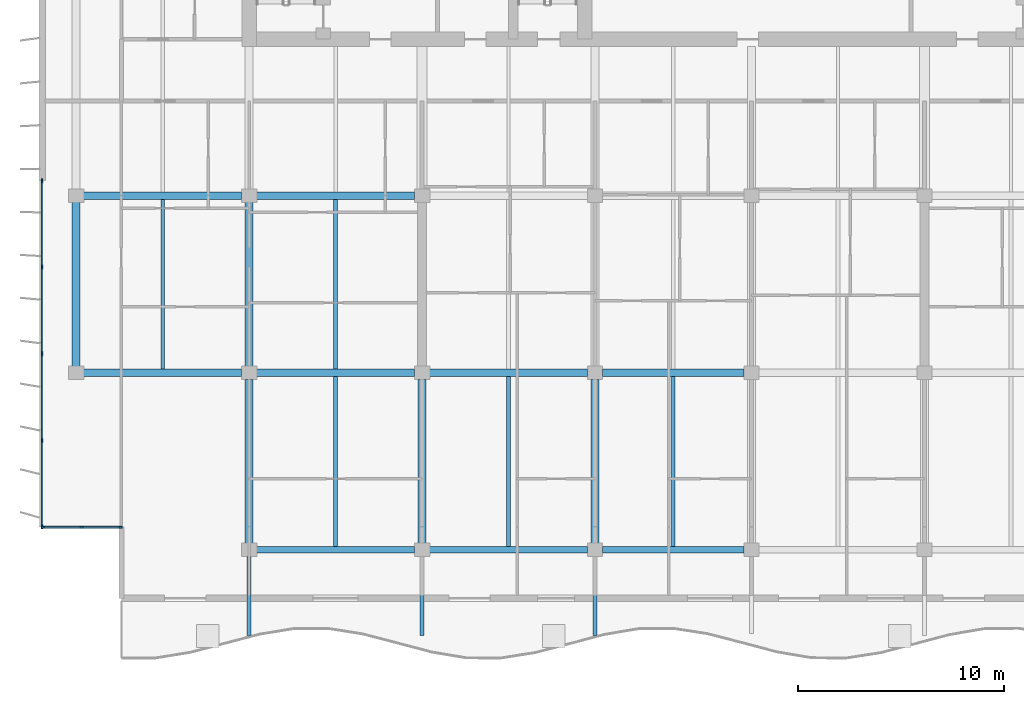
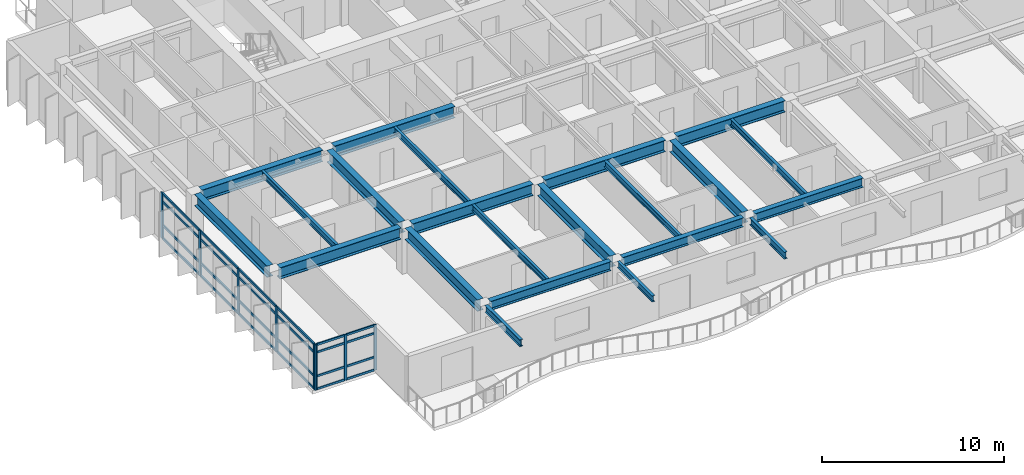
# One storey, part 2 of 16: 32 members, 22 beams, 2 elements without a shape of their own.
"""IFC4 building model written with IfcOpenShell, lengths in metres."""

from ifc_helpers import new_model, si_unit, direction, frame, origin, origin_2d, place, context, subcontext, project, spatial, rectangle, i_section, extrude, material, layer, layer_set, material_profile, profile_set, type_object, element, aggregate, save


model = new_model("IFC4")

# Units and contexts
model_context = context("Model", 3, precision=1e-05, world=origin(), true_north=direction((0.0, 1.0)))
body_context = subcontext(model_context, "Body", "Model", "MODEL_VIEW")
ifc_project = project(units=[si_unit("LENGTHUNIT", "METRE"), si_unit("AREAUNIT", "SQUARE_METRE"), si_unit("VOLUMEUNIT", "CUBIC_METRE"), si_unit("PLANEANGLEUNIT", "RADIAN"), si_unit("MASSUNIT", "GRAM", prefix="KILO")], contexts=[model_context])

# Site, building, storey
site_placement = place(None, origin())
site = spatial("IfcSite", under=ifc_project, at=site_placement, CompositionType="ELEMENT")
building_placement = place(site_placement, origin())
building = spatial("IfcBuilding", under=site, at=building_placement, Name="Caelmar Bay Residences", CompositionType="ELEMENT")
storey_placement = place(building_placement, frame((0.0, 0.0, 239.699951171875)))
storey = spatial("IfcBuildingStorey", under=building, at=storey_placement, Name="L67", CompositionType="ELEMENT", Elevation=239.699951171875)

# Beams
ifc_material_1 = material(Name="Steel ASTM A992 Grade 50", Category="steel")
ifc_material_profile_1 = material_profile(ifc_material_1, i_section(OverallWidth=0.177978515625, OverallDepth=0.406005859375, WebThickness=0.0078125, FlangeThickness=0.0126953125, FilletRadius=0.0087890625, at=origin_2d()), Name="W16X40")
ifc_profile_set_1 = profile_set([ifc_material_profile_1], Name="Steel ASTM A992 Grade 50")
beam_type_1 = type_object("IfcBeamType", Name="BM-BAL-W16X40", PredefinedType="JOIST", material=ifc_profile_set_1)
for number, where, z_axis, x_axis, name in (
    (1, (22.5, 12.362548828125, 2.84716796875), (0.0, 1.0, 0.0), (-1.0, 0.0, 0.0), "L67 Composite Floor Joist 1"),
    (2, (30.89990234375, 12.362548828125, 2.84716796875), (0.0, 1.0, 0.0), (-1.0, 0.0, 0.0), "L67 Composite Floor Joist 2"),
    (3, (38.89990234375, 12.362548828125, 2.84716796875), (0.0, 1.0, 0.0), (-1.0, 0.0, 0.0), "L67 Composite Floor Joist 3"),
):
    element("IfcBeam", number, at=place(storey_placement, frame(where, z_axis=z_axis, x_axis=x_axis)), inside=storey, type_object=beam_type_1, Name=name, PredefinedType="JOIST", context=body_context, shape_type="SweptSolid", body=[
        extrude(i_section(OverallWidth=0.177978515625, OverallDepth=0.406005859375, WebThickness=0.0078125, FlangeThickness=0.0126953125, FilletRadius=0.0087890625, at=origin_2d()), origin(), (0.0, 0.0, 1.0), 8.2470703125),
    ])
for number, where, z_axis, x_axis, name in (
    (4, (14.10009765625, 20.990478515625, 2.84716796875), (0.0, 1.0, 0.0), (-1.0, 0.0, 0.0), "L67 Composite Floor Joist 6"),
    (5, (22.5, 20.990478515625, 2.84716796875), (0.0, 1.0, 0.0), (-1.0, 0.0, 0.0), "L67 Composite Floor Joist 7"),
):
    element("IfcBeam", number, at=place(storey_placement, frame(where, z_axis=z_axis, x_axis=x_axis)), inside=storey, type_object=beam_type_1, Name=name, PredefinedType="JOIST", context=body_context, shape_type="SweptSolid", body=[
        extrude(i_section(OverallWidth=0.177978515625, OverallDepth=0.406005859375, WebThickness=0.0078125, FlangeThickness=0.0126953125, FilletRadius=0.0087890625, at=origin_2d()), origin(), (0.0, 0.0, 1.0), 8.218994140625),
    ])
beam_1_placement = place(storey_placement, frame((26.699951171875, 11.885009765625, 2.84716796875), z_axis=(0.0, -1.0, 0.0), x_axis=(1.0, 0.0, 0.0)))
element("IfcBeam", 6, at=beam_1_placement, inside=storey, type_object=beam_type_1, Name="L68 South Balcony Cantilever Bracket 2", PredefinedType="JOIST", context=body_context, shape_type="SweptSolid", body=[
    extrude(i_section(OverallWidth=0.177978515625, OverallDepth=0.406005859375, WebThickness=0.0078125, FlangeThickness=0.0126953125, FilletRadius=0.0087890625, at=origin_2d()), origin(), (0.0, 0.0, 1.0), 3.85009765625),
])
ifc_material_profile_2 = material_profile(ifc_material_1, i_section(OverallWidth=0.193115234375, OverallDepth=0.467041015625, WebThickness=0.011474609375, FlangeThickness=0.01904296875, FilletRadius=0.01025390625, at=origin_2d()), Name="W18X65")
ifc_profile_set_2 = profile_set([ifc_material_profile_2], Name="Steel ASTM A992 Grade 50")
beam_type_2 = type_object("IfcBeamType", Name="BM-BAL-W18X65", PredefinedType="BEAM", material=ifc_profile_set_2)
for number, where, z_axis, x_axis, name in (
    (7, (18.300048828125, 11.885009765625, 2.816650390625), (0.0, -1.0, 0.0), (1.0, 0.0, 0.0), "L68 South Balcony Cantilever Bracket 1"),
    (8, (35.10009765625, 11.885009765625, 2.816650390625), (0.0, -1.0, 0.0), (1.0, 0.0, 0.0), "L68 South Balcony Cantilever Bracket 3"),
):
    element("IfcBeam", number, at=place(storey_placement, frame(where, z_axis=z_axis, x_axis=x_axis)), inside=storey, type_object=beam_type_2, Name=name, PredefinedType="BEAM", context=body_context, shape_type="SweptSolid", body=[
        extrude(i_section(OverallWidth=0.193115234375, OverallDepth=0.467041015625, WebThickness=0.011474609375, FlangeThickness=0.01904296875, FilletRadius=0.01025390625, at=origin_2d()), origin(), (0.0, 0.0, 1.0), 3.85009765625),
    ])
ifc_material_profile_3 = material_profile(ifc_material_1, i_section(OverallWidth=0.381103515625, OverallDepth=0.77197265625, WebThickness=0.0166015625, FlangeThickness=0.027099609375, FilletRadius=0.0166015625, at=origin_2d()), Name="W30X173")
ifc_profile_set_3 = profile_set([ifc_material_profile_3], Name="Steel ASTM A992 Grade 50")
beam_type_3 = type_object("IfcBeamType", Name="BM-GRD-W30X173", PredefinedType="BEAM", material=ifc_profile_set_3)
beam_2_placement = place(storey_placement, frame((10.264892578125, 20.800048828125, 2.6640625), z_axis=(1.0, 0.0, 0.0), x_axis=(0.0, 1.0, 0.0)))
element("IfcBeam", 9, at=beam_2_placement, inside=storey, type_object=beam_type_3, Name="L67 East-West Girder Y=20.80 (9.9-18.3)", PredefinedType="BEAM", context=body_context, shape_type="SweptSolid", body=[
    extrude(i_section(OverallWidth=0.381103515625, OverallDepth=0.77197265625, WebThickness=0.0166015625, FlangeThickness=0.027099609375, FilletRadius=0.0166015625, at=origin_2d()), origin(), (0.0, 0.0, 1.0), 7.670166015625),
])
beam_3_placement = place(storey_placement, frame((18.6650390625, 20.800048828125, 2.6640625), z_axis=(1.0, 0.0, 0.0), x_axis=(0.0, 1.0, 0.0)))
element("IfcBeam", 10, at=beam_3_placement, inside=storey, type_object=beam_type_3, Name="L67 East-West Girder Y=20.80 (18.3-26.7)", PredefinedType="BEAM", context=body_context, shape_type="SweptSolid", body=[
    extrude(i_section(OverallWidth=0.381103515625, OverallDepth=0.77197265625, WebThickness=0.0166015625, FlangeThickness=0.027099609375, FilletRadius=0.0166015625, at=origin_2d()), origin(), (0.0, 0.0, 1.0), 7.669921875),
])
beam_4_placement = place(storey_placement, frame((27.06494140625, 20.800048828125, 2.6640625), z_axis=(1.0, 0.0, 0.0), x_axis=(0.0, 1.0, 0.0)))
element("IfcBeam", 11, at=beam_4_placement, inside=storey, type_object=beam_type_3, Name="L67 East-West Girder Y=20.80 (26.7-35.1)", PredefinedType="BEAM", context=body_context, shape_type="SweptSolid", body=[
    extrude(i_section(OverallWidth=0.381103515625, OverallDepth=0.77197265625, WebThickness=0.0166015625, FlangeThickness=0.027099609375, FilletRadius=0.0166015625, at=origin_2d()), origin(), (0.0, 0.0, 1.0), 7.670166015625),
])
beam_5_placement = place(storey_placement, frame((35.465087890625, 20.800048828125, 2.6640625), z_axis=(1.0, 0.0, 0.0), x_axis=(0.0, 1.0, 0.0)))
element("IfcBeam", 12, at=beam_5_placement, inside=storey, type_object=beam_type_3, Name="L67 East-West Girder Y=20.80 (35.1-42.7)", PredefinedType="BEAM", context=body_context, shape_type="SweptSolid", body=[
    extrude(i_section(OverallWidth=0.381103515625, OverallDepth=0.77197265625, WebThickness=0.0166015625, FlangeThickness=0.027099609375, FilletRadius=0.0166015625, at=origin_2d()), origin(), (0.0, 0.0, 1.0), 6.869873046875),
])
beam_6_placement = place(storey_placement, frame((10.264892578125, 29.39990234375, 2.6640625), z_axis=(1.0, 0.0, 0.0), x_axis=(0.0, 1.0, 0.0)))
element("IfcBeam", 13, at=beam_6_placement, inside=storey, type_object=beam_type_3, Name="L67 East-West Girder Y=29.40 (9.9-18.3)", PredefinedType="BEAM", context=body_context, shape_type="SweptSolid", body=[
    extrude(i_section(OverallWidth=0.381103515625, OverallDepth=0.77197265625, WebThickness=0.0166015625, FlangeThickness=0.027099609375, FilletRadius=0.0166015625, at=origin_2d()), origin(), (0.0, 0.0, 1.0), 7.670166015625),
])
beam_7_placement = place(storey_placement, frame((18.6650390625, 29.39990234375, 2.6640625), z_axis=(1.0, 0.0, 0.0), x_axis=(0.0, 1.0, 0.0)))
element("IfcBeam", 14, at=beam_7_placement, inside=storey, type_object=beam_type_3, Name="L67 East-West Girder Y=29.40 (18.3-26.7)", PredefinedType="BEAM", context=body_context, shape_type="SweptSolid", body=[
    extrude(i_section(OverallWidth=0.381103515625, OverallDepth=0.77197265625, WebThickness=0.0166015625, FlangeThickness=0.027099609375, FilletRadius=0.0166015625, at=origin_2d()), origin(), (0.0, 0.0, 1.0), 7.669921875),
])
beam_8_placement = place(storey_placement, frame((9.89990234375, 21.114990234375, 2.6640625), z_axis=(0.0, 1.0, 0.0), x_axis=(-1.0, 0.0, 0.0)))
element("IfcBeam", 15, at=beam_8_placement, inside=storey, type_object=beam_type_3, Name="L67 North-South Girder X=9.90 (20.8-29.4)", PredefinedType="BEAM", context=body_context, shape_type="SweptSolid", body=[
    extrude(i_section(OverallWidth=0.381103515625, OverallDepth=0.77197265625, WebThickness=0.0166015625, FlangeThickness=0.027099609375, FilletRadius=0.0166015625, at=origin_2d()), origin(), (0.0, 0.0, 1.0), 7.969970703125),
])
beam_9_placement = place(storey_placement, frame((18.300048828125, 12.514892578125, 2.6640625), z_axis=(0.0, 1.0, 0.0), x_axis=(-1.0, 0.0, 0.0)))
element("IfcBeam", 16, at=beam_9_placement, inside=storey, type_object=beam_type_3, Name="L67 North-South Girder X=18.30 (12.2-20.8)", PredefinedType="BEAM", context=body_context, shape_type="SweptSolid", body=[
    extrude(i_section(OverallWidth=0.381103515625, OverallDepth=0.77197265625, WebThickness=0.0166015625, FlangeThickness=0.027099609375, FilletRadius=0.0166015625, at=origin_2d()), origin(), (0.0, 0.0, 1.0), 7.97021484375),
])
beam_10_placement = place(storey_placement, frame((18.300048828125, 21.114990234375, 2.6640625), z_axis=(0.0, 1.0, 0.0), x_axis=(-1.0, 0.0, 0.0)))
element("IfcBeam", 17, at=beam_10_placement, inside=storey, type_object=beam_type_3, Name="L67 North-South Girder X=18.30 (20.8-29.4)", PredefinedType="BEAM", context=body_context, shape_type="SweptSolid", body=[
    extrude(i_section(OverallWidth=0.381103515625, OverallDepth=0.77197265625, WebThickness=0.0166015625, FlangeThickness=0.027099609375, FilletRadius=0.0166015625, at=origin_2d()), origin(), (0.0, 0.0, 1.0), 7.969970703125),
])
for number, where, z_axis, x_axis, name in (
    (18, (26.699951171875, 12.514892578125, 2.6640625), (0.0, 1.0, 0.0), (-1.0, 0.0, 0.0), "L67 North-South Girder X=26.70 (12.2-20.8)"),
    (19, (35.10009765625, 12.514892578125, 2.6640625), (0.0, 1.0, 0.0), (-1.0, 0.0, 0.0), "L67 North-South Girder X=35.10 (12.2-20.8)"),
):
    element("IfcBeam", number, at=place(storey_placement, frame(where, z_axis=z_axis, x_axis=x_axis)), inside=storey, type_object=beam_type_3, Name=name, PredefinedType="BEAM", context=body_context, shape_type="SweptSolid", body=[
        extrude(i_section(OverallWidth=0.381103515625, OverallDepth=0.77197265625, WebThickness=0.0166015625, FlangeThickness=0.027099609375, FilletRadius=0.0166015625, at=origin_2d()), origin(), (0.0, 0.0, 1.0), 7.97021484375),
    ])
ifc_material_profile_4 = material_profile(ifc_material_1, i_section(OverallWidth=0.324951171875, OverallDepth=0.616943359375, WebThickness=0.013916015625, FlangeThickness=0.021484375, FilletRadius=0.0126953125, at=origin_2d()), Name="W24X117")
ifc_profile_set_4 = profile_set([ifc_material_profile_4], Name="Steel ASTM A992 Grade 50")
beam_type_4 = type_object("IfcBeamType", Name="BM-SPN-W24X117", PredefinedType="SPANDREL", material=ifc_profile_set_4)
beam_11_placement = place(storey_placement, frame((18.6650390625, 12.199951171875, 2.741455078125), z_axis=(1.0, 0.0, 0.0), x_axis=(0.0, 1.0, 0.0)))
element("IfcBeam", 20, at=beam_11_placement, inside=storey, type_object=beam_type_4, Name="L67 East-West Girder Y=12.20 (18.3-26.7)", PredefinedType="SPANDREL", context=body_context, shape_type="SweptSolid", body=[
    extrude(i_section(OverallWidth=0.324951171875, OverallDepth=0.616943359375, WebThickness=0.013916015625, FlangeThickness=0.021484375, FilletRadius=0.0126953125, at=origin_2d()), origin(), (0.0, 0.0, 1.0), 7.669921875),
])
beam_12_placement = place(storey_placement, frame((27.06494140625, 12.199951171875, 2.741455078125), z_axis=(1.0, 0.0, 0.0), x_axis=(0.0, 1.0, 0.0)))
element("IfcBeam", 21, at=beam_12_placement, inside=storey, type_object=beam_type_4, Name="L67 East-West Girder Y=12.20 (26.7-35.1)", PredefinedType="SPANDREL", context=body_context, shape_type="SweptSolid", body=[
    extrude(i_section(OverallWidth=0.324951171875, OverallDepth=0.616943359375, WebThickness=0.013916015625, FlangeThickness=0.021484375, FilletRadius=0.0126953125, at=origin_2d()), origin(), (0.0, 0.0, 1.0), 7.670166015625),
])
beam_13_placement = place(storey_placement, frame((35.465087890625, 12.199951171875, 2.741455078125), z_axis=(1.0, 0.0, 0.0), x_axis=(0.0, 1.0, 0.0)))
element("IfcBeam", 22, at=beam_13_placement, inside=storey, type_object=beam_type_4, Name="L67 East-West Girder Y=12.20 (35.1-42.7)", PredefinedType="SPANDREL", context=body_context, shape_type="SweptSolid", body=[
    extrude(i_section(OverallWidth=0.324951171875, OverallDepth=0.616943359375, WebThickness=0.013916015625, FlangeThickness=0.021484375, FilletRadius=0.0126953125, at=origin_2d()), origin(), (0.0, 0.0, 1.0), 6.869873046875),
])

# Curtain wall, members
ifc_material_2 = material(Name="Anodised bronze aluminium 6063-T6 and laminated glass", Category="aluminium")
ifc_layer_1 = layer(ifc_material_2, 0.179931640625)
ifc_layer_set_1 = layer_set([ifc_layer_1], Name="Anodised bronze aluminium 6063-T6 and laminated glass")
curtain_wall_type_1 = type_object("IfcCurtainWallType", Name="CW6-NTC", PredefinedType="NOTDEFINED", material=ifc_layer_set_1)
curtain_wall_1_placement = place(storey_placement, origin())
curtain_wall_1 = element("IfcCurtainWall", 23, at=curtain_wall_1_placement, inside=storey, type_object=curtain_wall_type_1, Name="CW6 curtain wall L67", PredefinedType="NOTDEFINED")
ifc_material_3 = material(Name="Anodised bronze aluminium 6063-T6", Category="aluminium")
ifc_material_profile_5 = material_profile(ifc_material_3, rectangle(XDim=0.080078125, YDim=0.179931640625, at=origin_2d()), Name="CWM-80X180")
ifc_profile_set_5 = profile_set([ifc_material_profile_5], Name="Anodised bronze aluminium 6063-T6")
member_type_1 = type_object("IfcMemberType", Name="CWM-180", PredefinedType="MULLION", material=ifc_profile_set_5)
member_1_placement = place(storey_placement, frame((8.2900390625, 13.300048828125, 0.0), z_axis=(0.0, 0.0, 1.0), x_axis=(0.0, 1.0, 0.0)))
member_1 = element("IfcMember", 24, at=member_1_placement, type_object=member_type_1, Name="CW6 mullion 1", PredefinedType="MULLION", context=body_context, shape_type="SweptSolid", body=[
    extrude(rectangle(XDim=0.080078125, YDim=0.179931640625, at=origin_2d()), origin(), (0.0, 0.0, 1.0), 3.050048828125),
])
member_2_placement = place(storey_placement, frame((10.175048828125, 13.300048828125, 0.0), z_axis=(0.0, 0.0, 1.0), x_axis=(0.0, 1.0, 0.0)))
member_2 = element("IfcMember", 25, at=member_2_placement, type_object=member_type_1, Name="CW6 mullion 2", PredefinedType="MULLION", context=body_context, shape_type="SweptSolid", body=[
    extrude(rectangle(XDim=0.080078125, YDim=0.179931640625, at=origin_2d()), origin(), (0.0, 0.0, 1.0), 3.050048828125),
])
member_3_placement = place(storey_placement, frame((12.06005859375, 13.300048828125, 0.0), z_axis=(0.0, 0.0, 1.0), x_axis=(0.0, 1.0, 0.0)))
member_3 = element("IfcMember", 26, at=member_3_placement, type_object=member_type_1, Name="CW6 mullion 3", PredefinedType="MULLION", context=body_context, shape_type="SweptSolid", body=[
    extrude(rectangle(XDim=0.080078125, YDim=0.179931640625, at=origin_2d()), origin(), (0.0, 0.0, 1.0), 3.050048828125),
])

ifc_layer_2 = layer(ifc_material_2, 0.179931640625)
ifc_layer_set_2 = layer_set([ifc_layer_2], Name="Anodised bronze aluminium 6063-T6 and laminated glass")
curtain_wall_type_2 = type_object("IfcCurtainWallType", Name="CW5-Z4", PredefinedType="NOTDEFINED", material=ifc_layer_set_2)
curtain_wall_2_placement = place(storey_placement, origin())
curtain_wall_2 = element("IfcCurtainWall", 27, at=curtain_wall_2_placement, inside=storey, type_object=curtain_wall_type_2, Name="CW5 curtain wall L67", PredefinedType="NOTDEFINED")
ifc_material_profile_6 = material_profile(ifc_material_3, rectangle(XDim=0.080078125, YDim=0.219970703125, at=origin_2d()), Name="CWM-80X220")
ifc_profile_set_6 = profile_set([ifc_material_profile_6], Name="Anodised bronze aluminium 6063-T6")
member_type_2 = type_object("IfcMemberType", Name="CWM-220", PredefinedType="MULLION", material=ifc_profile_set_6)
member_4_placement = place(storey_placement, frame((8.25, 13.340087890625, 0.0), z_axis=(0.0, 0.0, 1.0), x_axis=(-1.0, 0.0, 0.0)))
member_4 = element("IfcMember", 28, at=member_4_placement, type_object=member_type_2, Name="CW5 mullion 1", PredefinedType="MULLION", context=body_context, shape_type="SweptSolid", body=[
    extrude(rectangle(XDim=0.080078125, YDim=0.219970703125, at=origin_2d()), origin(), (0.0, 0.0, 1.0), 3.050048828125),
])
member_5_placement = place(storey_placement, frame((8.25, 17.512451171875, 0.0), z_axis=(0.0, 0.0, 1.0), x_axis=(-1.0, 0.0, 0.0)))
member_5 = element("IfcMember", 29, at=member_5_placement, type_object=member_type_2, Name="CW5 mullion 2", PredefinedType="MULLION", context=body_context, shape_type="SweptSolid", body=[
    extrude(rectangle(XDim=0.080078125, YDim=0.219970703125, at=origin_2d()), origin(), (0.0, 0.0, 1.0), 3.050048828125),
])
member_6_placement = place(storey_placement, frame((8.25, 21.72509765625, 0.0), z_axis=(0.0, 0.0, 1.0), x_axis=(-1.0, 0.0, 0.0)))
member_6 = element("IfcMember", 30, at=member_6_placement, type_object=member_type_2, Name="CW5 mullion 3", PredefinedType="MULLION", context=body_context, shape_type="SweptSolid", body=[
    extrude(rectangle(XDim=0.080078125, YDim=0.219970703125, at=origin_2d()), origin(), (0.0, 0.0, 1.0), 3.050048828125),
])
member_7_placement = place(storey_placement, frame((8.25, 25.9375, 0.0), z_axis=(0.0, 0.0, 1.0), x_axis=(-1.0, 0.0, 0.0)))
member_7 = element("IfcMember", 31, at=member_7_placement, type_object=member_type_2, Name="CW5 mullion 4", PredefinedType="MULLION", context=body_context, shape_type="SweptSolid", body=[
    extrude(rectangle(XDim=0.080078125, YDim=0.219970703125, at=origin_2d()), origin(), (0.0, 0.0, 1.0), 3.050048828125),
])
member_8_placement = place(storey_placement, frame((8.25, 30.110107421875, 0.0), z_axis=(0.0, 0.0, 1.0), x_axis=(-1.0, 0.0, 0.0)))
member_8 = element("IfcMember", 32, at=member_8_placement, type_object=member_type_2, Name="CW5 mullion 5", PredefinedType="MULLION", context=body_context, shape_type="SweptSolid", body=[
    extrude(rectangle(XDim=0.080078125, YDim=0.219970703125, at=origin_2d()), origin(), (0.0, 0.0, 1.0), 3.050048828125),
])

# Member
ifc_material_profile_7 = material_profile(ifc_material_3, rectangle(XDim=0.080078125, YDim=0.139892578125, at=origin_2d()), Name="CWT-80X140")
ifc_profile_set_7 = profile_set([ifc_material_profile_7], Name="Anodised bronze aluminium 6063-T6")
member_type_3 = type_object("IfcMemberType", Name="CWT-140", PredefinedType="NOTDEFINED", material=ifc_profile_set_7)
member_9_placement = place(storey_placement, frame((8.330078125, 13.300048828125, 0.0400390625), z_axis=(1.0, 0.0, 0.0), x_axis=(0.0, 1.0, 0.0)))
member_9 = element("IfcMember", 33, at=member_9_placement, type_object=member_type_3, Name="CW6 transom 1.1", ObjectType="TRANSOM", PredefinedType="USERDEFINED", context=body_context, shape_type="SweptSolid", body=[
    extrude(rectangle(XDim=0.080078125, YDim=0.139892578125, at=origin_2d()), origin(), (0.0, 0.0, 1.0), 1.804931640625),
])

member_10_placement = place(storey_placement, frame((8.330078125, 13.300048828125, 0.900146484375), z_axis=(1.0, 0.0, 0.0), x_axis=(0.0, 1.0, 0.0)))
member_10 = element("IfcMember", 34, at=member_10_placement, type_object=member_type_3, Name="CW6 transom 1.2", ObjectType="TRANSOM", PredefinedType="USERDEFINED", context=body_context, shape_type="SweptSolid", body=[
    extrude(rectangle(XDim=0.080078125, YDim=0.139892578125, at=origin_2d()), origin(), (0.0, 0.0, 1.0), 1.804931640625),
])

member_11_placement = place(storey_placement, frame((8.330078125, 13.300048828125, 2.5), z_axis=(1.0, 0.0, 0.0), x_axis=(0.0, 1.0, 0.0)))
member_11 = element("IfcMember", 35, at=member_11_placement, type_object=member_type_3, Name="CW6 transom 1.3", ObjectType="TRANSOM", PredefinedType="USERDEFINED", context=body_context, shape_type="SweptSolid", body=[
    extrude(rectangle(XDim=0.080078125, YDim=0.139892578125, at=origin_2d()), origin(), (0.0, 0.0, 1.0), 1.804931640625),
])

member_12_placement = place(storey_placement, frame((8.330078125, 13.300048828125, 3.010009765625), z_axis=(1.0, 0.0, 0.0), x_axis=(0.0, 1.0, 0.0)))
member_12 = element("IfcMember", 36, at=member_12_placement, type_object=member_type_3, Name="CW6 transom 1.4", ObjectType="TRANSOM", PredefinedType="USERDEFINED", context=body_context, shape_type="SweptSolid", body=[
    extrude(rectangle(XDim=0.080078125, YDim=0.139892578125, at=origin_2d()), origin(), (0.0, 0.0, 1.0), 1.804931640625),
])

member_13_placement = place(storey_placement, frame((10.215087890625, 13.300048828125, 0.0400390625), z_axis=(1.0, 0.0, 0.0), x_axis=(0.0, 1.0, 0.0)))
member_13 = element("IfcMember", 37, at=member_13_placement, type_object=member_type_3, Name="CW6 transom 2.1", ObjectType="TRANSOM", PredefinedType="USERDEFINED", context=body_context, shape_type="SweptSolid", body=[
    extrude(rectangle(XDim=0.080078125, YDim=0.139892578125, at=origin_2d()), origin(), (0.0, 0.0, 1.0), 1.804931640625),
])

member_14_placement = place(storey_placement, frame((10.215087890625, 13.300048828125, 0.900146484375), z_axis=(1.0, 0.0, 0.0), x_axis=(0.0, 1.0, 0.0)))
member_14 = element("IfcMember", 38, at=member_14_placement, type_object=member_type_3, Name="CW6 transom 2.2", ObjectType="TRANSOM", PredefinedType="USERDEFINED", context=body_context, shape_type="SweptSolid", body=[
    extrude(rectangle(XDim=0.080078125, YDim=0.139892578125, at=origin_2d()), origin(), (0.0, 0.0, 1.0), 1.804931640625),
])

member_15_placement = place(storey_placement, frame((10.215087890625, 13.300048828125, 2.5), z_axis=(1.0, 0.0, 0.0), x_axis=(0.0, 1.0, 0.0)))
member_15 = element("IfcMember", 39, at=member_15_placement, type_object=member_type_3, Name="CW6 transom 2.3", ObjectType="TRANSOM", PredefinedType="USERDEFINED", context=body_context, shape_type="SweptSolid", body=[
    extrude(rectangle(XDim=0.080078125, YDim=0.139892578125, at=origin_2d()), origin(), (0.0, 0.0, 1.0), 1.804931640625),
])

member_16_placement = place(storey_placement, frame((10.215087890625, 13.300048828125, 3.010009765625), z_axis=(1.0, 0.0, 0.0), x_axis=(0.0, 1.0, 0.0)))
member_16 = element("IfcMember", 40, at=member_16_placement, type_object=member_type_3, Name="CW6 transom 2.4", ObjectType="TRANSOM", PredefinedType="USERDEFINED", context=body_context, shape_type="SweptSolid", body=[
    extrude(rectangle(XDim=0.080078125, YDim=0.139892578125, at=origin_2d()), origin(), (0.0, 0.0, 1.0), 1.804931640625),
])

aggregate(curtain_wall_1, [member_1, member_2, member_3, member_9, member_10, member_11, member_12, member_13, member_14, member_15, member_16])

ifc_material_profile_8 = material_profile(ifc_material_3, rectangle(XDim=0.080078125, YDim=0.159912109375, at=origin_2d()), Name="CWT-80X160")
ifc_profile_set_8 = profile_set([ifc_material_profile_8], Name="Anodised bronze aluminium 6063-T6")
member_type_4 = type_object("IfcMemberType", Name="CWT-160", PredefinedType="NOTDEFINED", material=ifc_profile_set_8)
member_17_placement = place(storey_placement, frame((8.25, 13.3798828125, 0.0400390625), z_axis=(0.0, 1.0, 0.0), x_axis=(-1.0, 0.0, 0.0)))
member_17 = element("IfcMember", 41, at=member_17_placement, type_object=member_type_4, Name="CW5 transom 1.1", ObjectType="TRANSOM", PredefinedType="USERDEFINED", context=body_context, shape_type="SweptSolid", body=[
    extrude(rectangle(XDim=0.080078125, YDim=0.159912109375, at=origin_2d()), origin(), (0.0, 0.0, 1.0), 4.092529296875),
])

member_18_placement = place(storey_placement, frame((8.25, 13.3798828125, 0.900146484375), z_axis=(0.0, 1.0, 0.0), x_axis=(-1.0, 0.0, 0.0)))
member_18 = element("IfcMember", 42, at=member_18_placement, type_object=member_type_4, Name="CW5 transom 1.2", ObjectType="TRANSOM", PredefinedType="USERDEFINED", context=body_context, shape_type="SweptSolid", body=[
    extrude(rectangle(XDim=0.080078125, YDim=0.159912109375, at=origin_2d()), origin(), (0.0, 0.0, 1.0), 4.092529296875),
])

member_19_placement = place(storey_placement, frame((8.25, 13.3798828125, 2.5), z_axis=(0.0, 1.0, 0.0), x_axis=(-1.0, 0.0, 0.0)))
member_19 = element("IfcMember", 43, at=member_19_placement, type_object=member_type_4, Name="CW5 transom 1.3", ObjectType="TRANSOM", PredefinedType="USERDEFINED", context=body_context, shape_type="SweptSolid", body=[
    extrude(rectangle(XDim=0.080078125, YDim=0.159912109375, at=origin_2d()), origin(), (0.0, 0.0, 1.0), 4.092529296875),
])

member_20_placement = place(storey_placement, frame((8.25, 13.3798828125, 3.010009765625), z_axis=(0.0, 1.0, 0.0), x_axis=(-1.0, 0.0, 0.0)))
member_20 = element("IfcMember", 44, at=member_20_placement, type_object=member_type_4, Name="CW5 transom 1.4", ObjectType="TRANSOM", PredefinedType="USERDEFINED", context=body_context, shape_type="SweptSolid", body=[
    extrude(rectangle(XDim=0.080078125, YDim=0.159912109375, at=origin_2d()), origin(), (0.0, 0.0, 1.0), 4.092529296875),
])

member_21_placement = place(storey_placement, frame((8.25, 17.552490234375, 0.0400390625), z_axis=(0.0, 1.0, 0.0), x_axis=(-1.0, 0.0, 0.0)))
member_21 = element("IfcMember", 45, at=member_21_placement, type_object=member_type_4, Name="CW5 transom 2.1", ObjectType="TRANSOM", PredefinedType="USERDEFINED", context=body_context, shape_type="SweptSolid", body=[
    extrude(rectangle(XDim=0.080078125, YDim=0.159912109375, at=origin_2d()), origin(), (0.0, 0.0, 1.0), 4.132568359375),
])

member_22_placement = place(storey_placement, frame((8.25, 17.552490234375, 0.900146484375), z_axis=(0.0, 1.0, 0.0), x_axis=(-1.0, 0.0, 0.0)))
member_22 = element("IfcMember", 46, at=member_22_placement, type_object=member_type_4, Name="CW5 transom 2.2", ObjectType="TRANSOM", PredefinedType="USERDEFINED", context=body_context, shape_type="SweptSolid", body=[
    extrude(rectangle(XDim=0.080078125, YDim=0.159912109375, at=origin_2d()), origin(), (0.0, 0.0, 1.0), 4.132568359375),
])

member_23_placement = place(storey_placement, frame((8.25, 17.552490234375, 2.5), z_axis=(0.0, 1.0, 0.0), x_axis=(-1.0, 0.0, 0.0)))
member_23 = element("IfcMember", 47, at=member_23_placement, type_object=member_type_4, Name="CW5 transom 2.3", ObjectType="TRANSOM", PredefinedType="USERDEFINED", context=body_context, shape_type="SweptSolid", body=[
    extrude(rectangle(XDim=0.080078125, YDim=0.159912109375, at=origin_2d()), origin(), (0.0, 0.0, 1.0), 4.132568359375),
])

member_24_placement = place(storey_placement, frame((8.25, 17.552490234375, 3.010009765625), z_axis=(0.0, 1.0, 0.0), x_axis=(-1.0, 0.0, 0.0)))
member_24 = element("IfcMember", 48, at=member_24_placement, type_object=member_type_4, Name="CW5 transom 2.4", ObjectType="TRANSOM", PredefinedType="USERDEFINED", context=body_context, shape_type="SweptSolid", body=[
    extrude(rectangle(XDim=0.080078125, YDim=0.159912109375, at=origin_2d()), origin(), (0.0, 0.0, 1.0), 4.132568359375),
])

member_25_placement = place(storey_placement, frame((8.25, 21.764892578125, 0.0400390625), z_axis=(0.0, 1.0, 0.0), x_axis=(-1.0, 0.0, 0.0)))
member_25 = element("IfcMember", 49, at=member_25_placement, type_object=member_type_4, Name="CW5 transom 3.1", ObjectType="TRANSOM", PredefinedType="USERDEFINED", context=body_context, shape_type="SweptSolid", body=[
    extrude(rectangle(XDim=0.080078125, YDim=0.159912109375, at=origin_2d()), origin(), (0.0, 0.0, 1.0), 4.132568359375),
])

member_26_placement = place(storey_placement, frame((8.25, 21.764892578125, 0.900146484375), z_axis=(0.0, 1.0, 0.0), x_axis=(-1.0, 0.0, 0.0)))
member_26 = element("IfcMember", 50, at=member_26_placement, type_object=member_type_4, Name="CW5 transom 3.2", ObjectType="TRANSOM", PredefinedType="USERDEFINED", context=body_context, shape_type="SweptSolid", body=[
    extrude(rectangle(XDim=0.080078125, YDim=0.159912109375, at=origin_2d()), origin(), (0.0, 0.0, 1.0), 4.132568359375),
])

member_27_placement = place(storey_placement, frame((8.25, 21.764892578125, 2.5), z_axis=(0.0, 1.0, 0.0), x_axis=(-1.0, 0.0, 0.0)))
member_27 = element("IfcMember", 51, at=member_27_placement, type_object=member_type_4, Name="CW5 transom 3.3", ObjectType="TRANSOM", PredefinedType="USERDEFINED", context=body_context, shape_type="SweptSolid", body=[
    extrude(rectangle(XDim=0.080078125, YDim=0.159912109375, at=origin_2d()), origin(), (0.0, 0.0, 1.0), 4.132568359375),
])

member_28_placement = place(storey_placement, frame((8.25, 21.764892578125, 3.010009765625), z_axis=(0.0, 1.0, 0.0), x_axis=(-1.0, 0.0, 0.0)))
member_28 = element("IfcMember", 52, at=member_28_placement, type_object=member_type_4, Name="CW5 transom 3.4", ObjectType="TRANSOM", PredefinedType="USERDEFINED", context=body_context, shape_type="SweptSolid", body=[
    extrude(rectangle(XDim=0.080078125, YDim=0.159912109375, at=origin_2d()), origin(), (0.0, 0.0, 1.0), 4.132568359375),
])

member_29_placement = place(storey_placement, frame((8.25, 25.9775390625, 0.0400390625), z_axis=(0.0, 1.0, 0.0), x_axis=(-1.0, 0.0, 0.0)))
member_29 = element("IfcMember", 53, at=member_29_placement, type_object=member_type_4, Name="CW5 transom 4.1", ObjectType="TRANSOM", PredefinedType="USERDEFINED", context=body_context, shape_type="SweptSolid", body=[
    extrude(rectangle(XDim=0.080078125, YDim=0.159912109375, at=origin_2d()), origin(), (0.0, 0.0, 1.0), 4.092529296875),
])

member_30_placement = place(storey_placement, frame((8.25, 25.9775390625, 0.900146484375), z_axis=(0.0, 1.0, 0.0), x_axis=(-1.0, 0.0, 0.0)))
member_30 = element("IfcMember", 54, at=member_30_placement, type_object=member_type_4, Name="CW5 transom 4.2", ObjectType="TRANSOM", PredefinedType="USERDEFINED", context=body_context, shape_type="SweptSolid", body=[
    extrude(rectangle(XDim=0.080078125, YDim=0.159912109375, at=origin_2d()), origin(), (0.0, 0.0, 1.0), 4.092529296875),
])

member_31_placement = place(storey_placement, frame((8.25, 25.9775390625, 2.5), z_axis=(0.0, 1.0, 0.0), x_axis=(-1.0, 0.0, 0.0)))
member_31 = element("IfcMember", 55, at=member_31_placement, type_object=member_type_4, Name="CW5 transom 4.3", ObjectType="TRANSOM", PredefinedType="USERDEFINED", context=body_context, shape_type="SweptSolid", body=[
    extrude(rectangle(XDim=0.080078125, YDim=0.159912109375, at=origin_2d()), origin(), (0.0, 0.0, 1.0), 4.092529296875),
])

member_32_placement = place(storey_placement, frame((8.25, 25.9775390625, 3.010009765625), z_axis=(0.0, 1.0, 0.0), x_axis=(-1.0, 0.0, 0.0)))
member_32 = element("IfcMember", 56, at=member_32_placement, type_object=member_type_4, Name="CW5 transom 4.4", ObjectType="TRANSOM", PredefinedType="USERDEFINED", context=body_context, shape_type="SweptSolid", body=[
    extrude(rectangle(XDim=0.080078125, YDim=0.159912109375, at=origin_2d()), origin(), (0.0, 0.0, 1.0), 4.092529296875),
])

aggregate(curtain_wall_2, [member_4, member_5, member_6, member_7, member_8, member_17, member_18, member_19, member_20, member_21, member_22, member_23, member_24, member_25, member_26, member_27, member_28, member_29, member_30, member_31, member_32])

save(model, "model.ifc")
